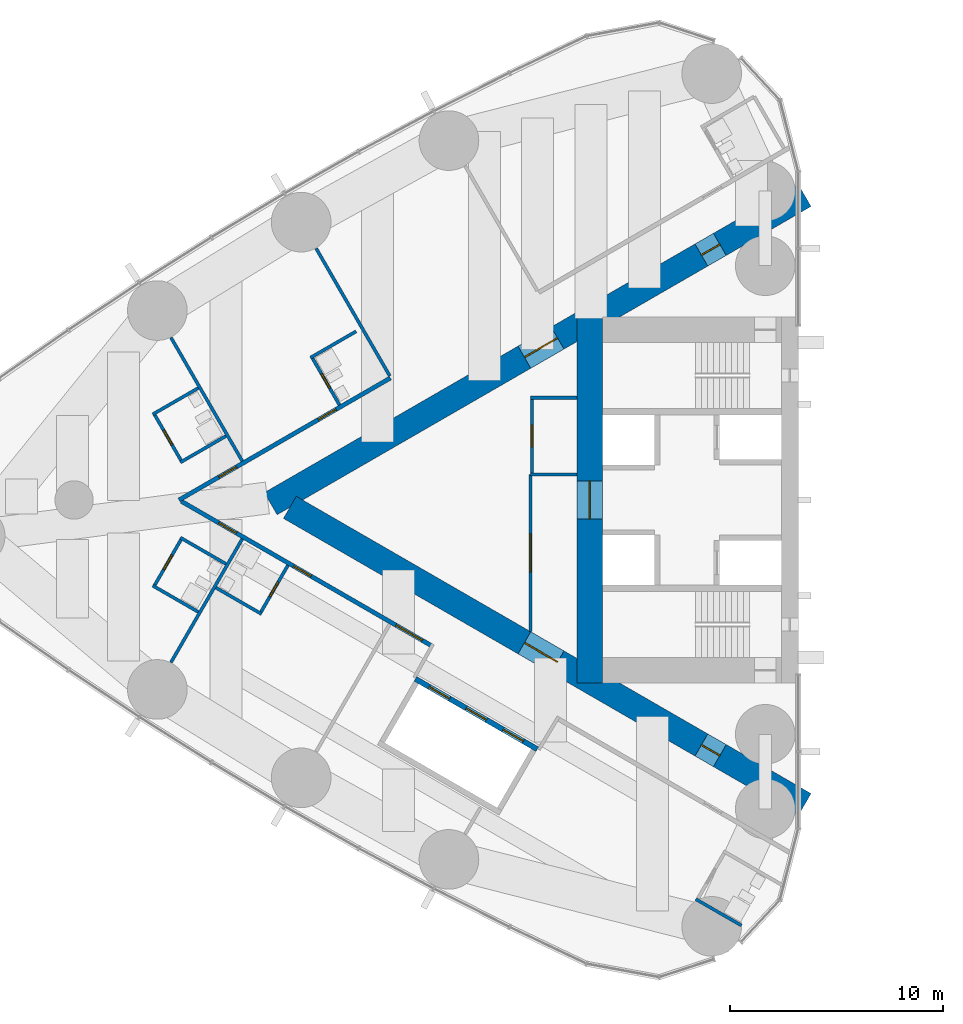
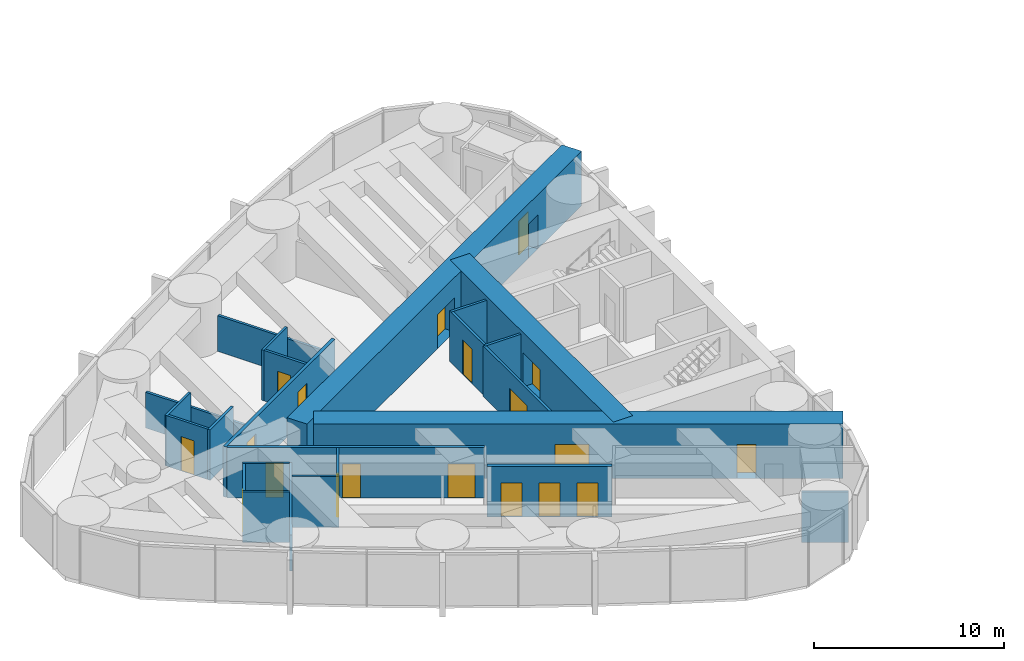
# One storey, part 12 of 18: 24 walls, 19 doors, 19 openings.
"""IFC4 building model written with IfcOpenShell, lengths in metres."""

import ifcopenshell
import ifcopenshell.guid

model = None  # the IFC model being written
_history = None  # IfcOwnerHistory: only IFC2X3 demands one
_inside = {}  # id of a spatial element -> (the spatial element, [elements in it])
_under = {}  # id of a project, library or spatial element -> (it, [spatial elements below it])
_declared = {}  # id of a project -> (the project, [libraries it declares])
_typed = {}  # id of a type object -> (the type object, [elements of that type])
_made_of = {}  # id of a material, layer set ... -> (it, [elements and type objects made of it])


def new_model(schema):
    """Start an empty IFC model of exactly this schema.

    Asked for "IFC4X3", IfcOpenShell would pick the latest addendum, in which some entities
    have other attributes; the version numbers below select the first issue.
    IFC2X3 requires an IfcOwnerHistory on every rooted entity: one is made here for all.
    """
    global model, _history
    if schema == "IFC4X3":
        model = ifcopenshell.file(schema_version=(4, 3, 0, 0))
    else:
        model = ifcopenshell.file(schema=schema)
    _inside.clear()
    _under.clear()
    _declared.clear()
    _typed.clear()
    _made_of.clear()
    _history = None
    if model.schema == "IFC2X3":
        org = make("IfcOrganization", Name="unknown")
        user = make(
            "IfcPersonAndOrganization",
            ThePerson=make("IfcPerson", FamilyName="unknown"),
            TheOrganization=org,
        )
        app = make(
            "IfcApplication",
            ApplicationDeveloper=org,
            Version="unknown",
            ApplicationFullName="unknown",
            ApplicationIdentifier="unknown",
        )
        _history = make(
            "IfcOwnerHistory",
            OwningUser=user,
            OwningApplication=app,
            ChangeAction="ADDED",
            CreationDate=0,
        )
    return model


def make(cls, **values):
    """One entity of the class cls with the attributes given. An attribute that is None is left unset."""
    return model.create_entity(
        cls, **{name: value for name, value in values.items() if value is not None}
    )


def rooted(cls, **values):
    """An entity with a GlobalId (a new one), such as an element, a storey or a relation."""
    return make(cls, GlobalId=ifcopenshell.guid.new(), OwnerHistory=_history, **values)


def si_unit(unit_type, name, prefix=None):
    """IfcSIUnit, for example si_unit("LENGTHUNIT", "METRE", prefix="MILLI")."""
    return make("IfcSIUnit", UnitType=unit_type, Prefix=prefix, Name=name)


def assignment(units):
    """IfcUnitAssignment: the units of a project."""
    return None if units is None else make("IfcUnitAssignment", Units=units)


def point(xyz):
    """IfcCartesianPoint."""
    return None if xyz is None else make("IfcCartesianPoint", Coordinates=xyz)


def direction(xyz):
    """IfcDirection."""
    return None if xyz is None else make("IfcDirection", DirectionRatios=xyz)


def frame(location, z_axis=None, x_axis=None):
    """IfcAxis2Placement3D, a coordinate frame: its origin and axes. An axis left out is left unset."""
    return make(
        "IfcAxis2Placement3D",
        Location=point(location),
        Axis=direction(z_axis),
        RefDirection=direction(x_axis),
    )


def frame_2d(location, x_axis=None):
    """IfcAxis2Placement2D, a coordinate frame in the plane: its origin and x axis."""
    return make(
        "IfcAxis2Placement2D", Location=point(location), RefDirection=direction(x_axis)
    )


def origin():
    """The frame at (0, 0, 0) with its axes left unset."""
    return frame((0.0, 0.0, 0.0))


def place(relative_to, where):
    """IfcLocalPlacement: puts the frame where relative to a parent placement (None: the world)."""
    return make(
        "IfcLocalPlacement", PlacementRelTo=relative_to, RelativePlacement=where
    )


def context(
    kind, dimensions, precision=None, world=None, true_north=None, identifier=None
):
    """IfcGeometricRepresentationContext, for example the 3D "Model" context."""
    return make(
        "IfcGeometricRepresentationContext",
        ContextIdentifier=identifier,
        ContextType=kind,
        CoordinateSpaceDimension=dimensions,
        Precision=precision,
        WorldCoordinateSystem=world,
        TrueNorth=true_north,
    )


def subcontext(parent, identifier, kind, view, scale=None):
    """IfcGeometricRepresentationSubContext, for example "Body" below "Model"."""
    return make(
        "IfcGeometricRepresentationSubContext",
        ContextIdentifier=identifier,
        ContextType=kind,
        ParentContext=parent,
        TargetScale=scale,
        TargetView=view,
    )


def project(units=None, contexts=None):
    """IfcProject with its units and contexts."""
    return rooted(
        "IfcProject",
        Name="project",
        RepresentationContexts=contexts,
        UnitsInContext=assignment(units),
    )


def spatial(cls, under=None, at=None, **own):
    """A site, building, storey or space (cls), placed at a placement, below another one or the project."""
    s = rooted(cls, ObjectPlacement=at, **own)
    if under is not None:
        _under.setdefault(under.id(), (under, []))[1].append(s)
    return s


def profile(cls, at=None, kind="AREA", **sizes):
    """A parametric profile (cls). Its sizes go by their IFC names, for example OverallWidth=200.0."""
    return make(cls, ProfileType=kind, Position=at, **sizes)


def rectangle(**sizes):
    """IfcRectangleProfileDef."""
    return profile("IfcRectangleProfileDef", **sizes)


def extrude(swept, where, along, depth):
    """IfcExtrudedAreaSolid: the profile swept, set in the frame where, extruded along a direction by depth."""
    return make(
        "IfcExtrudedAreaSolid",
        SweptArea=swept,
        Position=where,
        ExtrudedDirection=direction(along),
        Depth=depth,
    )


def shape(context_of_items, identifier, shape_type, items):
    """IfcShapeRepresentation: the items that make up one representation, for example the "Body"."""
    return make(
        "IfcShapeRepresentation",
        ContextOfItems=context_of_items,
        RepresentationIdentifier=identifier,
        RepresentationType=shape_type,
        Items=items,
    )


def material(Name=None, Category=None):
    """IfcMaterial."""
    return make("IfcMaterial", Name=Name, Category=Category)


def layer(
    of_material, thickness, ventilated=None, Name=None, Category=None, Priority=None
):
    """IfcMaterialLayer: one layer of a wall or slab, of a material (None: an air gap)."""
    return make(
        "IfcMaterialLayer",
        Material=of_material,
        LayerThickness=thickness,
        IsVentilated=ventilated,
        Name=Name,
        Category=Category,
        Priority=Priority,
    )


def layer_set(layers, Name=None):
    """IfcMaterialLayerSet."""
    return make("IfcMaterialLayerSet", MaterialLayers=layers, LayerSetName=Name)


def made_of(thing, what):
    """Note that an element or type object is made of a material, layer set ...; save() writes the relation."""
    if what is not None:
        _made_of.setdefault(what.id(), (what, []))[1].append(thing)
    return thing


def type_object(cls, material=None, **own):
    """A type object (cls), such as IfcWallType, which elements share."""
    return made_of(rooted(cls, **own), material)


def element(
    cls,
    number,
    at=None,
    inside=None,
    cuts=None,
    type_object=None,
    material=None,
    context=None,
    identifier="Body",
    shape_type=None,
    held_by="IfcProductDefinitionShape",
    body=None,
    shapes=None,
    **own,
):
    """One element of the class cls, such as IfcWall. Its Tag is "e" and its number.

    at: its placement. inside: the storey or other place that contains it. cuts: it is an
    opening in that element (IfcRelVoidsElement). A single representation is given by context,
    identifier, shape_type and body (its items); several are given by shapes. held_by: the class
    of the entity that holds the representations. save() writes the other relations.
    """
    e = rooted(cls, Tag="e%d" % number, ObjectPlacement=at, **own)
    if body is not None:
        shapes = [shape(context, identifier, shape_type, body)]
    if shapes is not None:
        e.Representation = make(held_by, Representations=shapes)
    if inside is not None:
        _inside.setdefault(inside.id(), (inside, []))[1].append(e)
    if cuts is not None:
        rooted(
            "IfcRelVoidsElement", RelatingBuildingElement=cuts, RelatedOpeningElement=e
        )
    if type_object is not None:
        _typed.setdefault(type_object.id(), (type_object, []))[1].append(e)
    return made_of(e, material)


def fill(opening, filler):
    """IfcRelFillsElement: the door or window that sits in an opening."""
    return rooted(
        "IfcRelFillsElement",
        RelatingOpeningElement=opening,
        RelatedBuildingElement=filler,
    )


def aggregate(whole, parts):
    """IfcRelAggregates: a whole, such as a stair, and the parts it consists of."""
    return rooted("IfcRelAggregates", RelatingObject=whole, RelatedObjects=parts)


def save(model, path):
    """Write the relations noted so far, then the file.

    IfcRelAggregates (storeys below a building ...), IfcRelContainedInSpatialStructure (elements
    in a storey), IfcRelDefinesByType, IfcRelAssociatesMaterial and IfcRelDeclares: one each for
    every whole, place, type object, material and project.
    """
    for whole, parts in _under.values():
        aggregate(whole, parts)
    for where, things in _inside.values():
        rooted(
            "IfcRelContainedInSpatialStructure",
            RelatedElements=things,
            RelatingStructure=where,
        )
    for kind, things in _typed.values():
        rooted("IfcRelDefinesByType", RelatedObjects=things, RelatingType=kind)
    for what, things in _made_of.values():
        rooted("IfcRelAssociatesMaterial", RelatedObjects=things, RelatingMaterial=what)
    for by, libraries in _declared.values():
        rooted("IfcRelDeclares", RelatingContext=by, RelatedDefinitions=libraries)
    model.write(path)


model = new_model("IFC4")

# Units and contexts
model_context = context("Model", 3, precision=1e-05, world=origin(), true_north=direction((0.0, 1.0)))
body_context = subcontext(model_context, "Body", "Model", "MODEL_VIEW")
ifc_project = project(units=[si_unit("LENGTHUNIT", "METRE"), si_unit("AREAUNIT", "SQUARE_METRE"), si_unit("VOLUMEUNIT", "CUBIC_METRE"), si_unit("PLANEANGLEUNIT", "RADIAN"), si_unit("MASSUNIT", "GRAM", prefix="KILO")], contexts=[model_context])

# Site, building, storey
site_placement = place(None, origin())
site = spatial("IfcSite", under=ifc_project, at=site_placement, CompositionType="ELEMENT")
building_placement = place(site_placement, origin())
building = spatial("IfcBuilding", under=site, at=building_placement, Name="Lancet Gate Hotel", CompositionType="ELEMENT")
storey_placement = place(building_placement, frame((0.0, 0.0, 187.800048828125)))
storey = spatial("IfcBuildingStorey", under=building, at=storey_placement, Name="L50", CompositionType="ELEMENT", Elevation=187.800048828125)

# Wall
ifc_material_1 = material(Name="Moisture resistant board partition")
ifc_layer_1 = layer(ifc_material_1, 0.14990234375)
ifc_layer_set_1 = layer_set([ifc_layer_1], Name="Bathroom wall 150")
wall_type_1 = type_object("IfcWallType", Name="Bathroom wall 150", PredefinedType="PARTITIONING", material=ifc_layer_set_1)
wall_1_placement = place(storey_placement, frame((-48.26025390625, 7.914306640625, 0.0), z_axis=(0.0, 0.0, 1.0), x_axis=(-0.866031185235, -0.4999899861, 0.0)))
element("IfcWall", 1, at=wall_1_placement, inside=storey, type_object=wall_type_1, Name="T1 bathroom wall 150 L50", PredefinedType="PARTITIONING", context=body_context, shape_type="SweptSolid", body=[
    extrude(rectangle(XDim=2.47509765625, YDim=0.14990234375, at=frame_2d((1.237548828125, 0.0))), origin(), (0.0, 0.0, 1.0), 3.25),
])

# Wall, opening, door
wall_2_placement = place(storey_placement, frame((-49.038818359375, 4.462646484375, 0.0), z_axis=(0.0, 0.0, 1.0), x_axis=(-0.499936506574, 0.866062058628, 0.0)))
wall_2 = element("IfcWall", 2, at=wall_2_placement, inside=storey, type_object=wall_type_1, Name="T1 bathroom wall 150 L50", PredefinedType="PARTITIONING", context=body_context, shape_type="SweptSolid", body=[
    extrude(rectangle(XDim=2.599853515625, YDim=0.14990234375, at=frame_2d((1.2998046875, 0.0))), origin(), (0.0, 0.0, 1.0), 3.25),
])
opening_1_placement = place(wall_2_placement, frame((0.89990234375, 0.0, 0.0)))
opening_1 = element("IfcOpeningElement", 3, at=opening_1_placement, cuts=wall_2, Name="Opening 5003-B", PredefinedType="OPENING", context=body_context, shape_type="SweptSolid", body=[
    extrude(rectangle(XDim=0.800048828125, YDim=2.199951171875, at=frame_2d((0.39990234375, 1.10009765625))), frame((0.0, 0.0849609375, 0.0), z_axis=(0.0, -1.0, 0.0), x_axis=(1.0, 0.0, 0.0)), (0.0, 0.0, 1.0), 0.169921875),
])
ifc_material_2 = material(Name="Timber door set", Category="wood")
door_type_1 = type_object("IfcDoorType", Name="Bathroom door 800", OperationType="SINGLE_SWING_RIGHT", PredefinedType="DOOR", material=ifc_material_2)
door_1_placement = place(opening_1_placement, origin())
door_1 = element("IfcDoor", 4, at=door_1_placement, inside=storey, type_object=door_type_1, Name="5003-B", OperationType="SINGLE_SWING_RIGHT", OverallHeight=2.199951171875, OverallWidth=0.800048828125, PredefinedType="DOOR", context=body_context, shape_type="SweptSolid", body=[
    extrude(rectangle(XDim=0.800048828125, YDim=2.199951171875, at=frame_2d((0.39990234375, 1.10009765625))), frame((0.0, 0.02490234375, 0.0), z_axis=(0.0, -1.0, 0.0), x_axis=(1.0, 0.0, 0.0)), (0.0, 0.0, 1.0), 0.050048828125),
])
fill(opening_1, door_1)

# Wall
wall_3_placement = place(storey_placement, frame((-55.6669921875, 5.254638671875, 0.0), z_axis=(0.0, 0.0, 1.0), x_axis=(-0.866006523861, -0.500032699561, 0.0)))
element("IfcWall", 5, at=wall_3_placement, inside=storey, type_object=wall_type_1, Name="T1 bathroom wall 150 L50", PredefinedType="PARTITIONING", context=body_context, shape_type="SweptSolid", body=[
    extrude(rectangle(XDim=2.474853515625, YDim=0.14990234375, at=frame_2d((1.2373046875, 0.0))), origin(), (0.0, 0.0, 1.0), 3.25),
])

# Wall, opening, door
wall_4_placement = place(storey_placement, frame((-56.445556640625, 1.802978515625, 0.0), z_axis=(0.0, 0.0, 1.0), x_axis=(-0.499936506574, 0.866062058628, 0.0)))
wall_4 = element("IfcWall", 6, at=wall_4_placement, inside=storey, type_object=wall_type_1, Name="T1 bathroom wall 150 L50", PredefinedType="PARTITIONING", context=body_context, shape_type="SweptSolid", body=[
    extrude(rectangle(XDim=2.599853515625, YDim=0.14990234375, at=frame_2d((1.2998046875, 0.0))), origin(), (0.0, 0.0, 1.0), 3.25),
])
opening_2_placement = place(wall_4_placement, frame((0.89990234375, 0.0, 0.0)))
opening_2 = element("IfcOpeningElement", 7, at=opening_2_placement, cuts=wall_4, Name="Opening 5004-B", PredefinedType="OPENING", context=body_context, shape_type="SweptSolid", body=[
    extrude(rectangle(XDim=0.800048828125, YDim=2.199951171875, at=frame_2d((0.39990234375, 1.10009765625))), frame((0.0, 0.0849609375, 0.0), z_axis=(0.0, -1.0, 0.0), x_axis=(1.0, 0.0, 0.0)), (0.0, 0.0, 1.0), 0.169921875),
])
door_2_placement = place(opening_2_placement, origin())
door_2 = element("IfcDoor", 8, at=door_2_placement, inside=storey, type_object=door_type_1, Name="5004-B", OperationType="SINGLE_SWING_RIGHT", OverallHeight=2.199951171875, OverallWidth=0.800048828125, PredefinedType="DOOR", context=body_context, shape_type="SweptSolid", body=[
    extrude(rectangle(XDim=0.800048828125, YDim=2.199951171875, at=frame_2d((0.39990234375, 1.10009765625))), frame((0.0, 0.02490234375, 0.0), z_axis=(0.0, -1.0, 0.0), x_axis=(1.0, 0.0, 0.0)), (0.0, 0.0, 1.0), 0.050048828125),
])
fill(opening_2, door_2)

# Walls
wall_5_placement = place(storey_placement, frame((-54.366943359375, 3.0029296875, 0.0), z_axis=(0.0, 0.0, 1.0), x_axis=(-0.866031185235, -0.4999899861, 0.0)))
element("IfcWall", 9, at=wall_5_placement, inside=storey, type_object=wall_type_1, Name="T1 bathroom wall 150 L50", PredefinedType="PARTITIONING", context=body_context, shape_type="SweptSolid", body=[
    extrude(rectangle(XDim=2.47509765625, YDim=0.14990234375, at=frame_2d((1.237548828125, 0.0))), origin(), (0.0, 0.0, 1.0), 3.25),
])
wall_6_placement = place(storey_placement, frame((-55.6669921875, -5.254638671875, 0.0), z_axis=(0.0, 0.0, 1.0), x_axis=(-0.866006523861, 0.500032699561, 0.0)))
element("IfcWall", 10, at=wall_6_placement, inside=storey, type_object=wall_type_1, Name="T1 bathroom wall 150 L50", PredefinedType="PARTITIONING", context=body_context, shape_type="SweptSolid", body=[
    extrude(rectangle(XDim=2.474853515625, YDim=0.14990234375, at=frame_2d((1.2373046875, 0.0))), origin(), (0.0, 0.0, 1.0), 3.25),
])

# Wall, opening, door
wall_7_placement = place(storey_placement, frame((-56.445556640625, -1.802978515625, 0.0), z_axis=(0.0, 0.0, 1.0), x_axis=(-0.499936506574, -0.866062058628, 0.0)))
wall_7 = element("IfcWall", 11, at=wall_7_placement, inside=storey, type_object=wall_type_1, Name="T1 bathroom wall 150 L50", PredefinedType="PARTITIONING", context=body_context, shape_type="SweptSolid", body=[
    extrude(rectangle(XDim=2.599853515625, YDim=0.14990234375, at=frame_2d((1.2998046875, 0.0))), origin(), (0.0, 0.0, 1.0), 3.25),
])
opening_3_placement = place(wall_7_placement, frame((0.89990234375, 0.0, 0.0)))
opening_3 = element("IfcOpeningElement", 12, at=opening_3_placement, cuts=wall_7, Name="Opening 5005-B", PredefinedType="OPENING", context=body_context, shape_type="SweptSolid", body=[
    extrude(rectangle(XDim=0.800048828125, YDim=2.199951171875, at=frame_2d((0.39990234375, 1.10009765625))), frame((0.0, 0.0849609375, 0.0), z_axis=(0.0, -1.0, 0.0), x_axis=(1.0, 0.0, 0.0)), (0.0, 0.0, 1.0), 0.169921875),
])
door_3_placement = place(opening_3_placement, origin())
door_3 = element("IfcDoor", 13, at=door_3_placement, inside=storey, type_object=door_type_1, Name="5005-B", OperationType="SINGLE_SWING_RIGHT", OverallHeight=2.199951171875, OverallWidth=0.800048828125, PredefinedType="DOOR", context=body_context, shape_type="SweptSolid", body=[
    extrude(rectangle(XDim=0.800048828125, YDim=2.199951171875, at=frame_2d((0.39990234375, 1.10009765625))), frame((0.0, 0.02490234375, 0.0), z_axis=(0.0, -1.0, 0.0), x_axis=(1.0, 0.0, 0.0)), (0.0, 0.0, 1.0), 0.050048828125),
])
fill(opening_3, door_3)

# Walls
for number, where, z_axis, x_axis, name in (
    (14, (-54.366943359375, -3.0029296875, 0.0), (0.0, 0.0, 1.0), (-0.866031185235, 0.4999899861, 0.0), "T1 bathroom wall 150 L50"),
    (15, (-52.693603515625, -5.354736328125, 0.0), (0.0, 0.0, 1.0), (-0.866031185235, 0.4999899861, 0.0), "T1 bathroom wall 150 L50"),
):
    element("IfcWall", number, at=place(storey_placement, frame(where, z_axis=z_axis, x_axis=x_axis)), inside=storey, type_object=wall_type_1, Name=name, PredefinedType="PARTITIONING", context=body_context, shape_type="SweptSolid", body=[
        extrude(rectangle(XDim=2.47509765625, YDim=0.14990234375, at=frame_2d((1.237548828125, 0.0))), origin(), (0.0, 0.0, 1.0), 3.25),
    ])

# Wall, opening, door
wall_8_placement = place(storey_placement, frame((-51.458740234375, -3.0654296875, 0.0), z_axis=(0.0, 0.0, 1.0), x_axis=(-0.499936506574, -0.866062058628, 0.0)))
wall_8 = element("IfcWall", 16, at=wall_8_placement, inside=storey, type_object=wall_type_1, Name="T1 bathroom wall 150 L50", PredefinedType="PARTITIONING", context=body_context, shape_type="SweptSolid", body=[
    extrude(rectangle(XDim=2.599853515625, YDim=0.14990234375, at=frame_2d((1.2998046875, 0.0))), origin(), (0.0, 0.0, 1.0), 3.25),
])
opening_4_placement = place(wall_8_placement, frame((0.89990234375, 0.0, 0.0)))
opening_4 = element("IfcOpeningElement", 17, at=opening_4_placement, cuts=wall_8, Name="Opening 5006-B", PredefinedType="OPENING", context=body_context, shape_type="SweptSolid", body=[
    extrude(rectangle(XDim=0.800048828125, YDim=2.199951171875, at=frame_2d((0.39990234375, 1.10009765625))), frame((0.0, 0.0849609375, 0.0), z_axis=(0.0, -1.0, 0.0), x_axis=(1.0, 0.0, 0.0)), (0.0, 0.0, 1.0), 0.169921875),
])
door_4_placement = place(opening_4_placement, origin())
door_4 = element("IfcDoor", 18, at=door_4_placement, inside=storey, type_object=door_type_1, Name="5006-B", OperationType="SINGLE_SWING_RIGHT", OverallHeight=2.199951171875, OverallWidth=0.800048828125, PredefinedType="DOOR", context=body_context, shape_type="SweptSolid", body=[
    extrude(rectangle(XDim=0.800048828125, YDim=2.199951171875, at=frame_2d((0.39990234375, 1.10009765625))), frame((0.0, 0.02490234375, 0.0), z_axis=(0.0, -1.0, 0.0), x_axis=(1.0, 0.0, 0.0)), (0.0, 0.0, 1.0), 0.050048828125),
])
fill(opening_4, door_4)

# Wall
wall_9_placement = place(storey_placement, frame((-30.169921875, -19.975341796875, 0.0), z_axis=(0.0, 0.0, 1.0), x_axis=(-0.866006523861, 0.500032699561, 0.0)))
element("IfcWall", 19, at=wall_9_placement, inside=storey, type_object=wall_type_1, Name="T1 bathroom wall 150 L50", PredefinedType="PARTITIONING", context=body_context, shape_type="SweptSolid", body=[
    extrude(rectangle(XDim=2.474853515625, YDim=0.14990234375, at=frame_2d((1.2373046875, 0.0))), origin(), (0.0, 0.0, 1.0), 3.25),
])

# Wall, openings, doors
ifc_material_3 = material(Name="Concrete C70/85", Category="concrete")
ifc_layer_2 = layer(ifc_material_3, 1.199951171875)
ifc_layer_set_2 = layer_set([ifc_layer_2], Name="Buttress wall 1200")
wall_type_2 = type_object("IfcWallType", Name="Buttress wall 1200", PredefinedType="SHEAR", material=ifc_layer_set_2)
wall_10_placement = place(storey_placement, frame((-27.199951171875, 14.300048828125, 0.0), z_axis=(0.0, 0.0, 1.0), x_axis=(-0.866026593062, -0.499997940104, 0.0)))
wall_10 = element("IfcWall", 20, at=wall_10_placement, inside=storey, type_object=wall_type_2, Name="T1 buttress wall S L50", PredefinedType="SHEAR", context=body_context, shape_type="SweptSolid", body=[
    extrude(rectangle(XDim=28.9462890625, YDim=1.199951171875, at=frame_2d((14.47314453125, 0.0))), origin(), (0.0, 0.0, 1.0), 3.5),
])
opening_5_placement = place(wall_10_placement, frame((4.60009765625, 0.0, 0.0)))
opening_5 = element("IfcOpeningElement", 21, at=opening_5_placement, cuts=wall_10, Name="Opening T1-L50-LS", PredefinedType="OPENING", context=body_context, shape_type="SweptSolid", body=[
    extrude(rectangle(XDim=1.0, YDim=2.199951171875, at=frame_2d((0.5, 1.10009765625))), frame((0.0, 0.60986328125, 0.0), z_axis=(0.0, -1.0, 0.0), x_axis=(1.0, 0.0, 0.0)), (0.0, 0.0, 1.0), 1.219970703125),
])
opening_6_placement = place(wall_10_placement, frame((13.39453125, 0.0, 0.0)))
opening_6 = element("IfcOpeningElement", 22, at=opening_6_placement, cuts=wall_10, Name="Opening T1-L50-LHS", PredefinedType="OPENING", context=body_context, shape_type="SweptSolid", body=[
    extrude(rectangle(XDim=1.800048828125, YDim=2.199951171875, at=frame_2d((0.89990234375, 1.10009765625))), frame((0.0, 0.60986328125, 0.0), z_axis=(0.0, -1.0, 0.0), x_axis=(1.0, 0.0, 0.0)), (0.0, 0.0, 1.0), 1.219970703125),
])
ifc_material_4 = material(Name="Timber door set", Category="wood")
door_type_2 = type_object("IfcDoorType", Name="Lobby double door 1800", OperationType="DOUBLE_DOOR_SINGLE_SWING", PredefinedType="DOOR", material=ifc_material_4)
door_5_placement = place(opening_6_placement, origin())
door_5 = element("IfcDoor", 23, at=door_5_placement, inside=storey, type_object=door_type_2, Name="T1-L50-LHS", OperationType="DOUBLE_DOOR_SINGLE_SWING", OverallHeight=2.199951171875, OverallWidth=1.800048828125, PredefinedType="DOOR", context=body_context, shape_type="SweptSolid", body=[
    extrude(rectangle(XDim=1.800048828125, YDim=2.199951171875, at=frame_2d((0.89990234375, 1.10009765625))), frame((0.0, 0.02490234375, 0.0), z_axis=(0.0, -1.0, 0.0), x_axis=(1.0, 0.0, 0.0)), (0.0, 0.0, 1.0), 0.050048828125),
])
fill(opening_6, door_5)
ifc_material_5 = material(Name="Timber door set", Category="wood")
door_type_3 = type_object("IfcDoorType", Name="Stair lobby door 1000", OperationType="SINGLE_SWING_LEFT", PredefinedType="DOOR", material=ifc_material_5)
door_6_placement = place(opening_5_placement, origin())
door_6 = element("IfcDoor", 24, at=door_6_placement, inside=storey, type_object=door_type_3, Name="T1-L50-LS", OperationType="SINGLE_SWING_LEFT", OverallHeight=2.199951171875, OverallWidth=1.0, PredefinedType="DOOR", context=body_context, shape_type="SweptSolid", body=[
    extrude(rectangle(XDim=1.0, YDim=2.199951171875, at=frame_2d((0.5, 1.10009765625))), frame((0.0, 0.02490234375, 0.0), z_axis=(0.0, -1.0, 0.0), x_axis=(1.0, 0.0, 0.0)), (0.0, 0.0, 1.0), 0.050048828125),
])
fill(opening_5, door_6)

wall_11_placement = place(storey_placement, frame((-27.199951171875, -14.300048828125, 0.0), z_axis=(0.0, 0.0, 1.0), x_axis=(-0.866024021859, 0.500002393557, 0.0)))
wall_11 = element("IfcWall", 25, at=wall_11_placement, inside=storey, type_object=wall_type_2, Name="T1 buttress wall N L50", PredefinedType="SHEAR", context=body_context, shape_type="SweptSolid", body=[
    extrude(rectangle(XDim=27.906982421875, YDim=1.199951171875, at=frame_2d((13.95361328125, 0.0))), origin(), (0.0, 0.0, 1.0), 3.5),
])
opening_7_placement = place(wall_11_placement, frame((4.60009765625, 0.0, 0.0)))
opening_7 = element("IfcOpeningElement", 26, at=opening_7_placement, cuts=wall_11, Name="Opening T1-L50-LN", PredefinedType="OPENING", context=body_context, shape_type="SweptSolid", body=[
    extrude(rectangle(XDim=1.0, YDim=2.199951171875, at=frame_2d((0.5, 1.10009765625))), frame((0.0, 0.60986328125, 0.0), z_axis=(0.0, -1.0, 0.0), x_axis=(1.0, 0.0, 0.0)), (0.0, 0.0, 1.0), 1.219970703125),
])
opening_8_placement = place(wall_11_placement, frame((13.39453125, 0.0, 0.0)))
opening_8 = element("IfcOpeningElement", 27, at=opening_8_placement, cuts=wall_11, Name="Opening T1-L50-LHN", PredefinedType="OPENING", context=body_context, shape_type="SweptSolid", body=[
    extrude(rectangle(XDim=1.800048828125, YDim=2.199951171875, at=frame_2d((0.89990234375, 1.10009765625))), frame((0.0, 0.60986328125, 0.0), z_axis=(0.0, -1.0, 0.0), x_axis=(1.0, 0.0, 0.0)), (0.0, 0.0, 1.0), 1.219970703125),
])
door_7_placement = place(opening_8_placement, origin())
door_7 = element("IfcDoor", 28, at=door_7_placement, inside=storey, type_object=door_type_2, Name="T1-L50-LHN", OperationType="DOUBLE_DOOR_SINGLE_SWING", OverallHeight=2.199951171875, OverallWidth=1.800048828125, PredefinedType="DOOR", context=body_context, shape_type="SweptSolid", body=[
    extrude(rectangle(XDim=1.800048828125, YDim=2.199951171875, at=frame_2d((0.89990234375, 1.10009765625))), frame((0.0, 0.02490234375, 0.0), z_axis=(0.0, -1.0, 0.0), x_axis=(1.0, 0.0, 0.0)), (0.0, 0.0, 1.0), 0.050048828125),
])
fill(opening_8, door_7)
door_8_placement = place(opening_7_placement, origin())
door_8 = element("IfcDoor", 29, at=door_8_placement, inside=storey, type_object=door_type_3, Name="T1-L50-LN", OperationType="SINGLE_SWING_LEFT", OverallHeight=2.199951171875, OverallWidth=1.0, PredefinedType="DOOR", context=body_context, shape_type="SweptSolid", body=[
    extrude(rectangle(XDim=1.0, YDim=2.199951171875, at=frame_2d((0.5, 1.10009765625))), frame((0.0, 0.02490234375, 0.0), z_axis=(0.0, -1.0, 0.0), x_axis=(1.0, 0.0, 0.0)), (0.0, 0.0, 1.0), 0.050048828125),
])
fill(opening_7, door_8)

# Wall, opening, door
ifc_material_6 = material(Name="Concrete C70/85", Category="concrete")
ifc_layer_3 = layer(ifc_material_6, 1.199951171875)
ifc_layer_set_3 = layer_set([ifc_layer_3], Name="Core wall 1200")
wall_type_3 = type_object("IfcWallType", Name="Core wall 1200", PredefinedType="SHEAR", material=ifc_layer_set_3)
wall_12_placement = place(storey_placement, frame((-37.300048828125, 8.60009765625, 0.0), z_axis=(0.0, 0.0, 1.0), x_axis=(0.0, -1.0, 0.0)))
wall_12 = element("IfcWall", 30, at=wall_12_placement, inside=storey, type_object=wall_type_3, Name="T1 core wall back L50", PredefinedType="SHEAR", context=body_context, shape_type="SweptSolid", body=[
    extrude(rectangle(XDim=17.2001953125, YDim=1.199951171875, at=frame_2d((8.60009765625, 0.0))), origin(), (0.0, 0.0, 1.0), 3.5),
])
opening_9_placement = place(wall_12_placement, frame((7.699951171875, 0.0, 0.0)))
opening_9 = element("IfcOpeningElement", 31, at=opening_9_placement, cuts=wall_12, Name="Opening T1-L50-LL", PredefinedType="OPENING", context=body_context, shape_type="SweptSolid", body=[
    extrude(rectangle(XDim=1.800048828125, YDim=2.199951171875, at=frame_2d((0.89990234375, 1.10009765625))), frame((0.0, 0.60986328125, 0.0), z_axis=(0.0, -1.0, 0.0), x_axis=(1.0, 0.0, 0.0)), (0.0, 0.0, 1.0), 1.219970703125),
])
door_9_placement = place(opening_9_placement, origin())
door_9 = element("IfcDoor", 32, at=door_9_placement, inside=storey, type_object=door_type_2, Name="T1-L50-LL", OperationType="DOUBLE_DOOR_SINGLE_SWING", OverallHeight=2.199951171875, OverallWidth=1.800048828125, PredefinedType="DOOR", context=body_context, shape_type="SweptSolid", body=[
    extrude(rectangle(XDim=1.800048828125, YDim=2.199951171875, at=frame_2d((0.89990234375, 1.10009765625))), frame((0.0, 0.02490234375, 0.0), z_axis=(0.0, -1.0, 0.0), x_axis=(1.0, 0.0, 0.0)), (0.0, 0.0, 1.0), 0.050048828125),
])
fill(opening_9, door_9)

# Wall, openings, doors
ifc_material_7 = material(Name="Gypsum board partition")
ifc_layer_4 = layer(ifc_material_7, 0.199951171875)
ifc_layer_set_4 = layer_set([ifc_layer_4], Name="Corridor wall 200")
wall_type_4 = type_object("IfcWallType", Name="Corridor wall 200", PredefinedType="PARTITIONING", material=ifc_layer_set_4)
wall_13_placement = place(storey_placement, frame((-44.715087890625, -6.843505859375, 0.0), z_axis=(0.0, 0.0, 1.0), x_axis=(-0.866025261224, 0.500000246922, 0.0)))
wall_13 = element("IfcWall", 33, at=wall_13_placement, inside=storey, type_object=wall_type_4, Name="T1 corridor wall 200 L50", PredefinedType="PARTITIONING", context=body_context, shape_type="SweptSolid", body=[
    extrude(rectangle(XDim=13.56689453125, YDim=0.199951171875, at=frame_2d((6.783447265625, 0.0))), origin(), (0.0, 0.0, 1.0), 3.25),
])
opening_10_placement = place(wall_13_placement, frame((10.5791015625, 0.0, 0.0)))
opening_10 = element("IfcOpeningElement", 34, at=opening_10_placement, cuts=wall_13, Name="Opening 5005-E", PredefinedType="OPENING", context=body_context, shape_type="SweptSolid", body=[
    extrude(rectangle(XDim=0.949951171875, YDim=2.199951171875, at=frame_2d((0.47509765625, 1.10009765625))), frame((0.0, 0.10986328125, 0.0), z_axis=(0.0, -1.0, 0.0), x_axis=(1.0, 0.0, 0.0)), (0.0, 0.0, 1.0), 0.219970703125),
])
opening_11_placement = place(wall_13_placement, frame((6.529052734375, 0.0, 0.0)))
opening_11 = element("IfcOpeningElement", 35, at=opening_11_placement, cuts=wall_13, Name="Opening 5006-E", PredefinedType="OPENING", context=body_context, shape_type="SweptSolid", body=[
    extrude(rectangle(XDim=0.949951171875, YDim=2.199951171875, at=frame_2d((0.47509765625, 1.10009765625))), frame((0.0, 0.10986328125, 0.0), z_axis=(0.0, -1.0, 0.0), x_axis=(1.0, 0.0, 0.0)), (0.0, 0.0, 1.0), 0.219970703125),
])
opening_12_placement = place(wall_13_placement, frame((0.5, 0.0, 0.0)))
opening_12 = element("IfcOpeningElement", 36, at=opening_12_placement, cuts=wall_13, Name="Opening T1-L50-LO1", PredefinedType="OPENING", context=body_context, shape_type="SweptSolid", body=[
    extrude(rectangle(XDim=1.43505859375, YDim=2.199951171875, at=frame_2d((0.717529296875, 1.10009765625))), frame((0.0, 0.10986328125, 0.0), z_axis=(0.0, -1.0, 0.0), x_axis=(1.0, 0.0, 0.0)), (0.0, 0.0, 1.0), 0.219970703125),
])
ifc_material_8 = material(Name="Timber door set", Category="wood")
door_type_4 = type_object("IfcDoorType", Name="Guest room entry door 950", OperationType="SINGLE_SWING_LEFT", PredefinedType="DOOR", material=ifc_material_8)
door_10_placement = place(opening_10_placement, origin())
door_10 = element("IfcDoor", 37, at=door_10_placement, inside=storey, type_object=door_type_4, Name="5005-E", OperationType="SINGLE_SWING_LEFT", OverallHeight=2.199951171875, OverallWidth=0.949951171875, PredefinedType="DOOR", context=body_context, shape_type="SweptSolid", body=[
    extrude(rectangle(XDim=0.949951171875, YDim=2.199951171875, at=frame_2d((0.47509765625, 1.10009765625))), frame((0.0, 0.02490234375, 0.0), z_axis=(0.0, -1.0, 0.0), x_axis=(1.0, 0.0, 0.0)), (0.0, 0.0, 1.0), 0.050048828125),
])
fill(opening_10, door_10)
door_11_placement = place(opening_11_placement, origin())
door_11 = element("IfcDoor", 38, at=door_11_placement, inside=storey, type_object=door_type_4, Name="5006-E", OperationType="SINGLE_SWING_LEFT", OverallHeight=2.199951171875, OverallWidth=0.949951171875, PredefinedType="DOOR", context=body_context, shape_type="SweptSolid", body=[
    extrude(rectangle(XDim=0.949951171875, YDim=2.199951171875, at=frame_2d((0.47509765625, 1.10009765625))), frame((0.0, 0.02490234375, 0.0), z_axis=(0.0, -1.0, 0.0), x_axis=(1.0, 0.0, 0.0)), (0.0, 0.0, 1.0), 0.050048828125),
])
fill(opening_11, door_11)
door_12_placement = place(opening_12_placement, origin())
door_12 = element("IfcDoor", 39, at=door_12_placement, inside=storey, type_object=door_type_4, Name="T1-L50-LO1", OperationType="SINGLE_SWING_LEFT", OverallHeight=2.199951171875, OverallWidth=1.43505859375, PredefinedType="DOOR", context=body_context, shape_type="SweptSolid", body=[
    extrude(rectangle(XDim=1.43505859375, YDim=2.199951171875, at=frame_2d((0.717529296875, 1.10009765625))), frame((0.0, 0.02490234375, 0.0), z_axis=(0.0, -1.0, 0.0), x_axis=(1.0, 0.0, 0.0)), (0.0, 0.0, 1.0), 0.050048828125),
])
fill(opening_12, door_12)

wall_14_placement = place(storey_placement, frame((-46.650390625, 5.72607421875, 0.0), z_axis=(0.0, 0.0, 1.0), x_axis=(-0.866027963864, -0.499995565786, 0.0)))
wall_14 = element("IfcWall", 40, at=wall_14_placement, inside=storey, type_object=wall_type_4, Name="T1 corridor wall 200 L50", PredefinedType="PARTITIONING", context=body_context, shape_type="SweptSolid", body=[
    extrude(rectangle(XDim=11.4521484375, YDim=0.199951171875, at=frame_2d((5.72607421875, 0.0))), origin(), (0.0, 0.0, 1.0), 3.25),
])
opening_13_placement = place(wall_14_placement, frame((2.949951171875, 0.0, 0.0)))
opening_13 = element("IfcOpeningElement", 41, at=opening_13_placement, cuts=wall_14, Name="Opening 5003-E", PredefinedType="OPENING", context=body_context, shape_type="SweptSolid", body=[
    extrude(rectangle(XDim=0.949951171875, YDim=2.199951171875, at=frame_2d((0.47509765625, 1.10009765625))), frame((0.0, 0.10986328125, 0.0), z_axis=(0.0, -1.0, 0.0), x_axis=(1.0, 0.0, 0.0)), (0.0, 0.0, 1.0), 0.219970703125),
])
opening_14_placement = place(wall_14_placement, frame((8.34423828125, 0.0, 0.0)))
opening_14 = element("IfcOpeningElement", 42, at=opening_14_placement, cuts=wall_14, Name="Opening 5004-E", PredefinedType="OPENING", context=body_context, shape_type="SweptSolid", body=[
    extrude(rectangle(XDim=0.949951171875, YDim=2.199951171875, at=frame_2d((0.47509765625, 1.10009765625))), frame((0.0, 0.10986328125, 0.0), z_axis=(0.0, -1.0, 0.0), x_axis=(1.0, 0.0, 0.0)), (0.0, 0.0, 1.0), 0.219970703125),
])
door_13_placement = place(opening_13_placement, origin())
door_13 = element("IfcDoor", 43, at=door_13_placement, inside=storey, type_object=door_type_4, Name="5003-E", OperationType="SINGLE_SWING_LEFT", OverallHeight=2.199951171875, OverallWidth=0.949951171875, PredefinedType="DOOR", context=body_context, shape_type="SweptSolid", body=[
    extrude(rectangle(XDim=0.949951171875, YDim=2.199951171875, at=frame_2d((0.47509765625, 1.10009765625))), frame((0.0, 0.02490234375, 0.0), z_axis=(0.0, -1.0, 0.0), x_axis=(1.0, 0.0, 0.0)), (0.0, 0.0, 1.0), 0.050048828125),
])
fill(opening_13, door_13)
door_14_placement = place(opening_14_placement, origin())
door_14 = element("IfcDoor", 44, at=door_14_placement, inside=storey, type_object=door_type_4, Name="5004-E", OperationType="SINGLE_SWING_LEFT", OverallHeight=2.199951171875, OverallWidth=0.949951171875, PredefinedType="DOOR", context=body_context, shape_type="SweptSolid", body=[
    extrude(rectangle(XDim=0.949951171875, YDim=2.199951171875, at=frame_2d((0.47509765625, 1.10009765625))), frame((0.0, 0.02490234375, 0.0), z_axis=(0.0, -1.0, 0.0), x_axis=(1.0, 0.0, 0.0)), (0.0, 0.0, 1.0), 0.050048828125),
])
fill(opening_14, door_14)

ifc_material_9 = material(Name="Gypsum board partition")
ifc_layer_5 = layer(ifc_material_9, 0.25)
ifc_layer_set_5 = layer_set([ifc_layer_5], Name="Lift shaft partition 250")
wall_type_5 = type_object("IfcWallType", Name="Lift shaft partition 250", PredefinedType="PARTITIONING", material=ifc_layer_set_5)
wall_15_placement = place(storey_placement, frame((-39.757568359375, -11.697265625, 0.0), z_axis=(0.0, 0.0, 1.0), x_axis=(-0.866024194504, 0.500002094529, 0.0)))
wall_15 = element("IfcWall", 45, at=wall_15_placement, inside=storey, type_object=wall_type_5, Name="T1 lift shaft wall HL L50", PredefinedType="PARTITIONING", context=body_context, shape_type="SweptSolid", body=[
    extrude(rectangle(XDim=6.60009765625, YDim=0.25, at=frame_2d((3.300048828125, 0.0))), origin(), (0.0, 0.0, 1.0), 3.25),
])
opening_15_placement = place(wall_15_placement, frame((0.75, 0.0, 0.0)))
opening_15 = element("IfcOpeningElement", 46, at=opening_15_placement, cuts=wall_15, Name="Opening T1-HL1-L50", PredefinedType="OPENING", context=body_context, shape_type="SweptSolid", body=[
    extrude(rectangle(XDim=1.10009765625, YDim=2.199951171875, at=frame_2d((0.550048828125, 1.10009765625))), frame((0.0, 0.135009765625, 0.0), z_axis=(0.0, -1.0, 0.0), x_axis=(1.0, 0.0, 0.0)), (0.0, 0.0, 1.0), 0.27001953125),
])
opening_16_placement = place(wall_15_placement, frame((2.75, 0.0, 0.0)))
opening_16 = element("IfcOpeningElement", 47, at=opening_16_placement, cuts=wall_15, Name="Opening T1-HL2-L50", PredefinedType="OPENING", context=body_context, shape_type="SweptSolid", body=[
    extrude(rectangle(XDim=1.10009765625, YDim=2.199951171875, at=frame_2d((0.550048828125, 1.10009765625))), frame((0.0, 0.135009765625, 0.0), z_axis=(0.0, -1.0, 0.0), x_axis=(1.0, 0.0, 0.0)), (0.0, 0.0, 1.0), 0.27001953125),
])
opening_17_placement = place(wall_15_placement, frame((4.75, 0.0, 0.0)))
opening_17 = element("IfcOpeningElement", 48, at=opening_17_placement, cuts=wall_15, Name="Opening T1-HL3-L50", PredefinedType="OPENING", context=body_context, shape_type="SweptSolid", body=[
    extrude(rectangle(XDim=1.10009765625, YDim=2.199951171875, at=frame_2d((0.550048828125, 1.10009765625))), frame((0.0, 0.135009765625, 0.0), z_axis=(0.0, -1.0, 0.0), x_axis=(1.0, 0.0, 0.0)), (0.0, 0.0, 1.0), 0.27001953125),
])
ifc_material_10 = material(Name="Steel door set", Category="steel")
door_type_5 = type_object("IfcDoorType", Name="Lift landing door 1100", OperationType="DOUBLE_DOOR_SLIDING", PredefinedType="USERDEFINED", material=ifc_material_10)
door_15_placement = place(opening_15_placement, origin())
door_15 = element("IfcDoor", 49, at=door_15_placement, inside=storey, type_object=door_type_5, Name="T1-HL1-L50", ObjectType="LIFT LANDING DOOR", OperationType="DOUBLE_DOOR_SLIDING", OverallHeight=2.199951171875, OverallWidth=1.10009765625, PredefinedType="USERDEFINED", context=body_context, shape_type="SweptSolid", body=[
    extrude(rectangle(XDim=1.10009765625, YDim=2.199951171875, at=frame_2d((0.550048828125, 1.10009765625))), frame((0.0, 0.02490234375, 0.0), z_axis=(0.0, -1.0, 0.0), x_axis=(1.0, 0.0, 0.0)), (0.0, 0.0, 1.0), 0.050048828125),
])
fill(opening_15, door_15)
door_16_placement = place(opening_16_placement, origin())
door_16 = element("IfcDoor", 50, at=door_16_placement, inside=storey, type_object=door_type_5, Name="T1-HL2-L50", ObjectType="LIFT LANDING DOOR", OperationType="DOUBLE_DOOR_SLIDING", OverallHeight=2.199951171875, OverallWidth=1.10009765625, PredefinedType="USERDEFINED", context=body_context, shape_type="SweptSolid", body=[
    extrude(rectangle(XDim=1.10009765625, YDim=2.199951171875, at=frame_2d((0.550048828125, 1.10009765625))), frame((0.0, 0.02490234375, 0.0), z_axis=(0.0, -1.0, 0.0), x_axis=(1.0, 0.0, 0.0)), (0.0, 0.0, 1.0), 0.050048828125),
])
fill(opening_16, door_16)
door_17_placement = place(opening_17_placement, origin())
door_17 = element("IfcDoor", 51, at=door_17_placement, inside=storey, type_object=door_type_5, Name="T1-HL3-L50", ObjectType="LIFT LANDING DOOR", OperationType="DOUBLE_DOOR_SLIDING", OverallHeight=2.199951171875, OverallWidth=1.10009765625, PredefinedType="USERDEFINED", context=body_context, shape_type="SweptSolid", body=[
    extrude(rectangle(XDim=1.10009765625, YDim=2.199951171875, at=frame_2d((0.550048828125, 1.10009765625))), frame((0.0, 0.02490234375, 0.0), z_axis=(0.0, -1.0, 0.0), x_axis=(1.0, 0.0, 0.0)), (0.0, 0.0, 1.0), 0.050048828125),
])
fill(opening_17, door_17)

# Walls
ifc_material_11 = material(Name="Gypsum board partition")
ifc_layer_6 = layer(ifc_material_11, 0.14990234375)
ifc_layer_set_6 = layer_set([ifc_layer_6], Name="Party wall 150")
wall_type_6 = type_object("IfcWallType", Name="Party wall 150", PredefinedType="PARTITIONING", material=ifc_layer_set_6)
wall_16_placement = place(storey_placement, frame((-46.6787109375, 5.8251953125, 0.0), z_axis=(0.0, 0.0, 1.0), x_axis=(-0.500006839597, 0.866021454905, 0.0)))
element("IfcWall", 52, at=wall_16_placement, inside=storey, type_object=wall_type_6, Name="T1 party wall 150 L50", PredefinedType="PARTITIONING", context=body_context, shape_type="SweptSolid", body=[
    extrude(rectangle(XDim=6.9111328125, YDim=0.14990234375, at=frame_2d((3.45556640625, 0.0))), origin(), (0.0, 0.0, 1.0), 2.300048828125),
])
for number, where, z_axis, x_axis, name in (
    (53, (-53.60205078125, 1.828125, 0.0), (0.0, 0.0, 1.0), (-0.49999191814, 0.866030069798, 0.0), "T1 party wall 150 L50"),
    (54, (-53.60205078125, -1.828125, 0.0), (0.0, 0.0, 1.0), (-0.49999191814, -0.866030069798, 0.0), "T1 party wall 150 L50"),
):
    element("IfcWall", number, at=place(storey_placement, frame(where, z_axis=z_axis, x_axis=x_axis)), inside=storey, type_object=wall_type_6, Name=name, PredefinedType="PARTITIONING", context=body_context, shape_type="SweptSolid", body=[
        extrude(rectangle(XDim=6.6923828125, YDim=0.14990234375, at=frame_2d((3.34619140625, 0.0))), origin(), (0.0, 0.0, 1.0), 2.300048828125),
    ])
ifc_material_12 = material(Name="Gypsum board partition")
ifc_layer_7 = layer(ifc_material_12, 0.14990234375)
ifc_layer_set_7 = layer_set([ifc_layer_7], Name="Service room wall 150")
wall_type_7 = type_object("IfcWallType", Name="Service room wall 150", PredefinedType="PARTITIONING", material=ifc_layer_set_7)
for number, where, z_axis, x_axis, name in (
    (55, (-37.89990234375, 1.199951171875, 0.0), (0.0, 0.0, 1.0), (-1.0, 0.0, 0.0), "T1 service room wall 150 L50"),
    (56, (-37.89990234375, 4.800048828125, 0.0), (0.0, 0.0, 1.0), (-1.0, 0.0, 0.0), "T1 service room wall 150 L50"),
):
    element("IfcWall", number, at=place(storey_placement, frame(where, z_axis=z_axis, x_axis=x_axis)), inside=storey, type_object=wall_type_7, Name=name, PredefinedType="PARTITIONING", context=body_context, shape_type="SweptSolid", body=[
        extrude(rectangle(XDim=2.175048828125, YDim=0.14990234375, at=frame_2d((1.08740234375, 0.0))), origin(), (0.0, 0.0, 1.0), 3.25),
    ])

# Wall, opening, door
wall_17_placement = place(storey_placement, frame((-40.0, 4.875, 0.0), z_axis=(0.0, 0.0, 1.0), x_axis=(0.0, -1.0, 0.0)))
wall_17 = element("IfcWall", 57, at=wall_17_placement, inside=storey, type_object=wall_type_7, Name="T1 service room wall 150 L50", PredefinedType="PARTITIONING", context=body_context, shape_type="SweptSolid", body=[
    extrude(rectangle(XDim=3.75, YDim=0.14990234375, at=frame_2d((1.875, 0.0))), origin(), (0.0, 0.0, 1.0), 3.25),
])
opening_18_placement = place(wall_17_placement, frame((1.375, 0.0, 0.0)))
opening_18 = element("IfcOpeningElement", 58, at=opening_18_placement, cuts=wall_17, Name="Opening T1-L50-HRS0", PredefinedType="OPENING", context=body_context, shape_type="SweptSolid", body=[
    extrude(rectangle(XDim=1.0, YDim=2.199951171875, at=frame_2d((0.5, 1.10009765625))), frame((0.0, 0.0849609375, 0.0), z_axis=(0.0, -1.0, 0.0), x_axis=(1.0, 0.0, 0.0)), (0.0, 0.0, 1.0), 0.169921875),
])
ifc_material_13 = material(Name="Timber door set", Category="wood")
door_type_6 = type_object("IfcDoorType", Name="Service door 1000", OperationType="SINGLE_SWING_LEFT", PredefinedType="DOOR", material=ifc_material_13)
door_18_placement = place(opening_18_placement, origin())
door_18 = element("IfcDoor", 59, at=door_18_placement, inside=storey, type_object=door_type_6, Name="T1-L50-HRS0", OperationType="SINGLE_SWING_LEFT", OverallHeight=2.199951171875, OverallWidth=1.0, PredefinedType="DOOR", context=body_context, shape_type="SweptSolid", body=[
    extrude(rectangle(XDim=1.0, YDim=2.199951171875, at=frame_2d((0.5, 1.10009765625))), frame((0.0, 0.02490234375, 0.0), z_axis=(0.0, -1.0, 0.0), x_axis=(1.0, 0.0, 0.0)), (0.0, 0.0, 1.0), 0.050048828125),
])
fill(opening_18, door_18)

wall_18_placement = place(storey_placement, frame((-40.074951171875, 1.199951171875, 0.0), z_axis=(0.0, 0.0, 1.0), x_axis=(0.0, -1.0, 0.0)))
wall_18 = element("IfcWall", 60, at=wall_18_placement, inside=storey, type_object=wall_type_7, Name="T1 service room wall 150 L50", PredefinedType="PARTITIONING", context=body_context, shape_type="SweptSolid", body=[
    extrude(rectangle(XDim=7.373779296875, YDim=0.14990234375, at=frame_2d((3.68701171875, 0.0))), origin(), (0.0, 0.0, 1.0), 3.25),
])
opening_19_placement = place(wall_18_placement, frame((2.786865234375, 0.0, 0.0)))
opening_19 = element("IfcOpeningElement", 61, at=opening_19_placement, cuts=wall_18, Name="Opening T1-L50-LH", PredefinedType="OPENING", context=body_context, shape_type="SweptSolid", body=[
    extrude(rectangle(XDim=1.800048828125, YDim=2.199951171875, at=frame_2d((0.89990234375, 1.10009765625))), frame((0.0, 0.0849609375, 0.0), z_axis=(0.0, -1.0, 0.0), x_axis=(1.0, 0.0, 0.0)), (0.0, 0.0, 1.0), 0.169921875),
])
door_19_placement = place(opening_19_placement, origin())
door_19 = element("IfcDoor", 62, at=door_19_placement, inside=storey, type_object=door_type_2, Name="T1-L50-LH", OperationType="DOUBLE_DOOR_SINGLE_SWING", OverallHeight=2.199951171875, OverallWidth=1.800048828125, PredefinedType="DOOR", context=body_context, shape_type="SweptSolid", body=[
    extrude(rectangle(XDim=1.800048828125, YDim=2.199951171875, at=frame_2d((0.89990234375, 1.10009765625))), frame((0.0, 0.02490234375, 0.0), z_axis=(0.0, -1.0, 0.0), x_axis=(1.0, 0.0, 0.0)), (0.0, 0.0, 1.0), 0.050048828125),
])
fill(opening_19, door_19)

save(model, "model.ifc")
